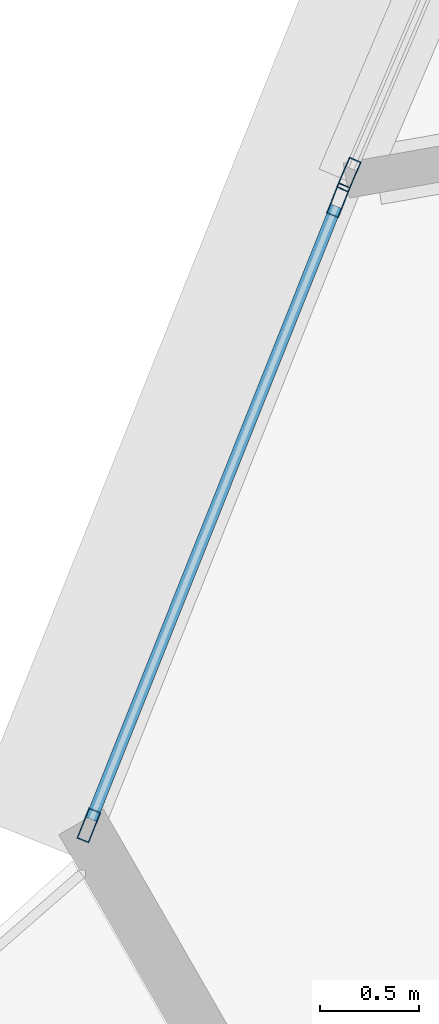
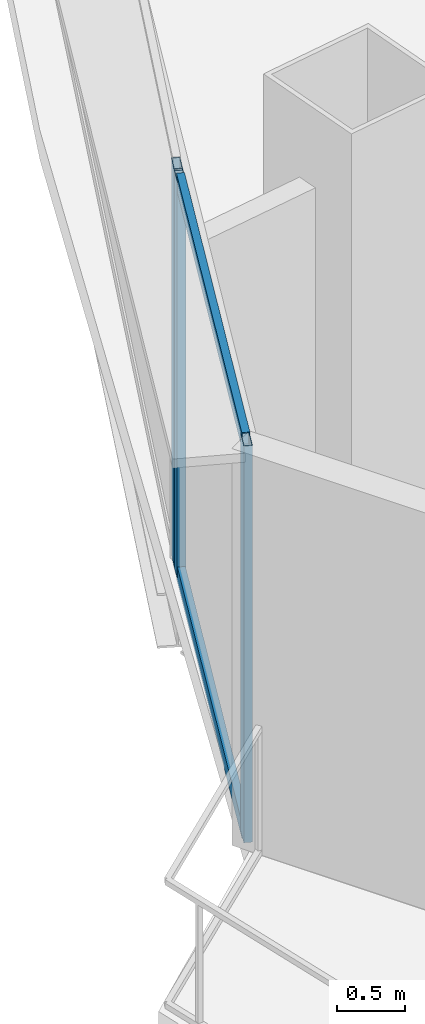
# One storey, part 4 of 36: 5 members, 2 elements without a shape of their own.
"""IFC4 building model written with IfcOpenShell, lengths in metres."""

from ifc_helpers import new_model, si_unit, direction, frame, origin, origin_2d, place, context, subcontext, project, spatial, hollow_rectangle, extrude, source, transform, mapped, material, layer, layer_set, material_profile, profile_set, type_object, element, aggregate, save


model = new_model("IFC4")

# Units and contexts
model_context = context("Model", 3, precision=1e-05, world=origin(), true_north=direction((0.0, 1.0)))
body_context = subcontext(model_context, "Body", "Model", "MODEL_VIEW")
ifc_project = project(units=[si_unit("LENGTHUNIT", "METRE"), si_unit("AREAUNIT", "SQUARE_METRE"), si_unit("VOLUMEUNIT", "CUBIC_METRE"), si_unit("PLANEANGLEUNIT", "RADIAN"), si_unit("MASSUNIT", "GRAM", prefix="KILO"), si_unit("THERMODYNAMICTEMPERATUREUNIT", "KELVIN"), si_unit("POWERUNIT", "WATT")], contexts=[model_context])

# Site, building, storey
site_placement = place(None, origin())
site = spatial("IfcSite", under=ifc_project, at=site_placement, CompositionType="ELEMENT")
building_placement = place(site_placement, origin())
building = spatial("IfcBuilding", under=site, at=building_placement, Name="Yunzhuo Pagoda Commons", CompositionType="ELEMENT")
storey_placement = place(building_placement, frame((0.0, 0.0, 103.97998046875)))
storey = spatial("IfcBuildingStorey", under=building, at=storey_placement, Name="L26", CompositionType="ELEMENT", Elevation=103.97998046875)

# Curtain wall, member
ifc_material = material(Name="Anodized aluminium 6063-T6", Category="aluminium")
ifc_layer = layer(ifc_material, 0.1650390625)
ifc_layer_set = layer_set([ifc_layer], Name="Anodized aluminium 6063-T6")
curtain_wall_type = type_object("IfcCurtainWallType", Name="CW-LOW Low-Zone Ribbon Curtain Wall", PredefinedType="NOTDEFINED", material=ifc_layer_set)
curtain_wall_1_placement = place(storey_placement, origin())
curtain_wall_1 = element("IfcCurtainWall", 1, at=curtain_wall_1_placement, inside=storey, type_object=curtain_wall_type, Name="L26 curtain wall CW-L26-F3B4", PredefinedType="NOTDEFINED")
ifc_material_profile_1 = material_profile(ifc_material, hollow_rectangle(XDim=0.06494140625, YDim=0.1650390625, WallThickness=0.00390625, at=origin_2d()), Name="Anodized aluminium 6063-T6")
ifc_profile_set_1 = profile_set([ifc_material_profile_1], Name="Anodized aluminium 6063-T6")
member_type_1 = type_object("IfcMemberType", Name="CW-LOW-M Mullion RHS 165x65x4", PredefinedType="MULLION", material=ifc_profile_set_1)
shared_shape_1 = source(origin(), body_context, "Body", "SweptSolid", [
    extrude(hollow_rectangle(XDim=0.06494140625, YDim=0.1650390625, WallThickness=0.00390625, at=origin_2d()), origin(), (0.0, 0.0, 1.0), 3.5400390625),
])
member_1_placement = place(storey_placement, frame((7.9482421875, 26.665283203125, 0.000244140625), z_axis=(0.0, 0.0, 1.0), x_axis=(0.919516302226, -0.39305186673, 0.0)))
member_1 = element("IfcMember", 2, at=member_1_placement, type_object=member_type_1, Name="CW mullion 2", PredefinedType="MULLION", context=body_context, shape_type="MappedRepresentation", body=[
    mapped(shared_shape_1, transform((0.0, 0.0, 0.0), scale=1.0)),
])
aggregate(curtain_wall_1, [member_1])

# Curtain wall, members
curtain_wall_2_placement = place(storey_placement, origin())
curtain_wall_2 = element("IfcCurtainWall", 3, at=curtain_wall_2_placement, inside=storey, type_object=curtain_wall_type, Name="L26 curtain wall CW-L26-F3B5", PredefinedType="NOTDEFINED")
member_2_placement = place(storey_placement, frame((7.8955078125, 26.535888671875, 0.000244140625), z_axis=(0.0, 0.0, 1.0), x_axis=(0.928701015293, -0.370829373424, 0.0)))
member_2 = element("IfcMember", 4, at=member_2_placement, type_object=member_type_1, Name="CW mullion 1", PredefinedType="MULLION", context=body_context, shape_type="MappedRepresentation", body=[
    mapped(shared_shape_1, transform((0.0, 0.0, 0.0), scale=1.0)),
])
member_3_placement = place(storey_placement, frame((6.63232421875, 23.3720703125, 0.000244140625), z_axis=(0.0, 0.0, 1.0), x_axis=(0.928701015293, -0.370829373424, 0.0)))
member_3 = element("IfcMember", 5, at=member_3_placement, type_object=member_type_1, Name="CW mullion 2", PredefinedType="MULLION", context=body_context, shape_type="MappedRepresentation", body=[
    mapped(shared_shape_1, transform((0.0, 0.0, 0.0), scale=1.0)),
])
ifc_material_profile_2 = material_profile(ifc_material, hollow_rectangle(XDim=0.06005859375, YDim=0.139892578125, WallThickness=0.00341796875, at=origin_2d()), Name="Anodized aluminium 6063-T6")
ifc_profile_set_2 = profile_set([ifc_material_profile_2], Name="Anodized aluminium 6063-T6")
member_type_2 = type_object("IfcMemberType", Name="CW-LOW-T Transom RHS 140x60x3.5", PredefinedType="USERDEFINED", material=ifc_profile_set_2)
shared_shape_2 = source(origin(), body_context, "Body", "SweptSolid", [
    extrude(hollow_rectangle(XDim=0.06005859375, YDim=0.139892578125, WallThickness=0.00341796875, at=origin_2d()), origin(), (0.0, 0.0, 1.0), 3.34130859375),
])
member_4_placement = place(storey_placement, frame((7.883544921875, 26.50537109375, 0.030029296875), z_axis=(-0.370886713186, -0.928678117532, 0.0), x_axis=(0.928678117532, -0.370886713186, 0.0)))
member_4 = element("IfcMember", 6, at=member_4_placement, type_object=member_type_2, Name="CW transom 1.1", ObjectType="TRANSOM", PredefinedType="USERDEFINED", context=body_context, shape_type="MappedRepresentation", body=[
    mapped(shared_shape_2, transform((0.0, 0.0, 0.0), scale=1.0)),
])
member_5_placement = place(storey_placement, frame((7.883544921875, 26.50537109375, 3.510009765625), z_axis=(-0.370886713186, -0.928678117532, 0.0), x_axis=(0.928678117532, -0.370886713186, 0.0)))
member_5 = element("IfcMember", 7, at=member_5_placement, type_object=member_type_2, Name="CW transom 1.2", ObjectType="TRANSOM", PredefinedType="USERDEFINED", context=body_context, shape_type="MappedRepresentation", body=[
    mapped(shared_shape_2, transform((0.0, 0.0, 0.0), scale=1.0)),
])
aggregate(curtain_wall_2, [member_2, member_3, member_4, member_5])

save(model, "model.ifc")
